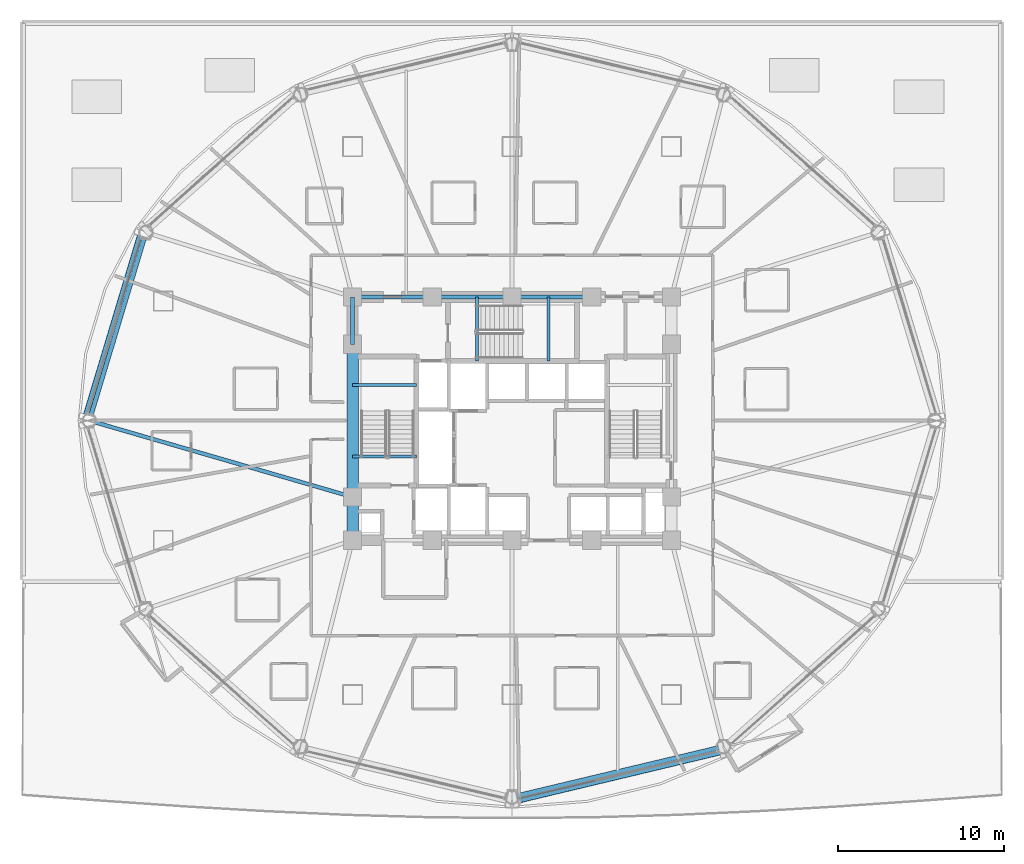
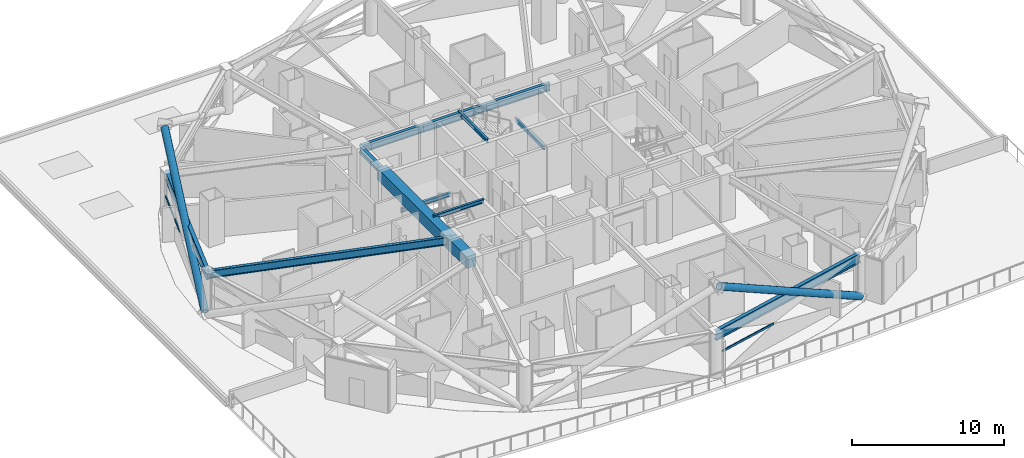
# One storey, part 6 of 27: 13 beams, 4 members, 2 elements without a shape of their own.
"""IFC4 building model written with IfcOpenShell, lengths in metres."""

import ifcopenshell
import ifcopenshell.guid

model = None  # the IFC model being written
_history = None  # IfcOwnerHistory: only IFC2X3 demands one
_inside = {}  # id of a spatial element -> (the spatial element, [elements in it])
_under = {}  # id of a project, library or spatial element -> (it, [spatial elements below it])
_declared = {}  # id of a project -> (the project, [libraries it declares])
_typed = {}  # id of a type object -> (the type object, [elements of that type])
_made_of = {}  # id of a material, layer set ... -> (it, [elements and type objects made of it])


def new_model(schema):
    """Start an empty IFC model of exactly this schema.

    Asked for "IFC4X3", IfcOpenShell would pick the latest addendum, in which some entities
    have other attributes; the version numbers below select the first issue.
    IFC2X3 requires an IfcOwnerHistory on every rooted entity: one is made here for all.
    """
    global model, _history
    if schema == "IFC4X3":
        model = ifcopenshell.file(schema_version=(4, 3, 0, 0))
    else:
        model = ifcopenshell.file(schema=schema)
    _inside.clear()
    _under.clear()
    _declared.clear()
    _typed.clear()
    _made_of.clear()
    _history = None
    if model.schema == "IFC2X3":
        org = make("IfcOrganization", Name="unknown")
        user = make(
            "IfcPersonAndOrganization",
            ThePerson=make("IfcPerson", FamilyName="unknown"),
            TheOrganization=org,
        )
        app = make(
            "IfcApplication",
            ApplicationDeveloper=org,
            Version="unknown",
            ApplicationFullName="unknown",
            ApplicationIdentifier="unknown",
        )
        _history = make(
            "IfcOwnerHistory",
            OwningUser=user,
            OwningApplication=app,
            ChangeAction="ADDED",
            CreationDate=0,
        )
    return model


def make(cls, **values):
    """One entity of the class cls with the attributes given. An attribute that is None is left unset."""
    return model.create_entity(
        cls, **{name: value for name, value in values.items() if value is not None}
    )


def rooted(cls, **values):
    """An entity with a GlobalId (a new one), such as an element, a storey or a relation."""
    return make(cls, GlobalId=ifcopenshell.guid.new(), OwnerHistory=_history, **values)


def si_unit(unit_type, name, prefix=None):
    """IfcSIUnit, for example si_unit("LENGTHUNIT", "METRE", prefix="MILLI")."""
    return make("IfcSIUnit", UnitType=unit_type, Prefix=prefix, Name=name)


def assignment(units):
    """IfcUnitAssignment: the units of a project."""
    return None if units is None else make("IfcUnitAssignment", Units=units)


def point(xyz):
    """IfcCartesianPoint."""
    return None if xyz is None else make("IfcCartesianPoint", Coordinates=xyz)


def direction(xyz):
    """IfcDirection."""
    return None if xyz is None else make("IfcDirection", DirectionRatios=xyz)


def frame(location, z_axis=None, x_axis=None):
    """IfcAxis2Placement3D, a coordinate frame: its origin and axes. An axis left out is left unset."""
    return make(
        "IfcAxis2Placement3D",
        Location=point(location),
        Axis=direction(z_axis),
        RefDirection=direction(x_axis),
    )


def frame_2d(location, x_axis=None):
    """IfcAxis2Placement2D, a coordinate frame in the plane: its origin and x axis."""
    return make(
        "IfcAxis2Placement2D", Location=point(location), RefDirection=direction(x_axis)
    )


def origin():
    """The frame at (0, 0, 0) with its axes left unset."""
    return frame((0.0, 0.0, 0.0))


def origin_2d():
    """The frame at (0, 0) in the plane with its x axis left unset."""
    return frame_2d((0.0, 0.0))


def place(relative_to, where):
    """IfcLocalPlacement: puts the frame where relative to a parent placement (None: the world)."""
    return make(
        "IfcLocalPlacement", PlacementRelTo=relative_to, RelativePlacement=where
    )


def context(
    kind, dimensions, precision=None, world=None, true_north=None, identifier=None
):
    """IfcGeometricRepresentationContext, for example the 3D "Model" context."""
    return make(
        "IfcGeometricRepresentationContext",
        ContextIdentifier=identifier,
        ContextType=kind,
        CoordinateSpaceDimension=dimensions,
        Precision=precision,
        WorldCoordinateSystem=world,
        TrueNorth=true_north,
    )


def subcontext(parent, identifier, kind, view, scale=None):
    """IfcGeometricRepresentationSubContext, for example "Body" below "Model"."""
    return make(
        "IfcGeometricRepresentationSubContext",
        ContextIdentifier=identifier,
        ContextType=kind,
        ParentContext=parent,
        TargetScale=scale,
        TargetView=view,
    )


def project(units=None, contexts=None):
    """IfcProject with its units and contexts."""
    return rooted(
        "IfcProject",
        Name="project",
        RepresentationContexts=contexts,
        UnitsInContext=assignment(units),
    )


def spatial(cls, under=None, at=None, **own):
    """A site, building, storey or space (cls), placed at a placement, below another one or the project."""
    s = rooted(cls, ObjectPlacement=at, **own)
    if under is not None:
        _under.setdefault(under.id(), (under, []))[1].append(s)
    return s


def profile(cls, at=None, kind="AREA", **sizes):
    """A parametric profile (cls). Its sizes go by their IFC names, for example OverallWidth=200.0."""
    return make(cls, ProfileType=kind, Position=at, **sizes)


def rectangle(**sizes):
    """IfcRectangleProfileDef."""
    return profile("IfcRectangleProfileDef", **sizes)


def hollow_rectangle(**sizes):
    """IfcRectangleHollowProfileDef."""
    return profile("IfcRectangleHollowProfileDef", **sizes)


def hollow_circle(**sizes):
    """IfcCircleHollowProfileDef."""
    return profile("IfcCircleHollowProfileDef", **sizes)


def i_section(**sizes):
    """IfcIShapeProfileDef."""
    return profile("IfcIShapeProfileDef", **sizes)


def extrude(swept, where, along, depth):
    """IfcExtrudedAreaSolid: the profile swept, set in the frame where, extruded along a direction by depth."""
    return make(
        "IfcExtrudedAreaSolid",
        SweptArea=swept,
        Position=where,
        ExtrudedDirection=direction(along),
        Depth=depth,
    )


def shape(context_of_items, identifier, shape_type, items):
    """IfcShapeRepresentation: the items that make up one representation, for example the "Body"."""
    return make(
        "IfcShapeRepresentation",
        ContextOfItems=context_of_items,
        RepresentationIdentifier=identifier,
        RepresentationType=shape_type,
        Items=items,
    )


def material(Name=None, Category=None):
    """IfcMaterial."""
    return make("IfcMaterial", Name=Name, Category=Category)


def layer(
    of_material, thickness, ventilated=None, Name=None, Category=None, Priority=None
):
    """IfcMaterialLayer: one layer of a wall or slab, of a material (None: an air gap)."""
    return make(
        "IfcMaterialLayer",
        Material=of_material,
        LayerThickness=thickness,
        IsVentilated=ventilated,
        Name=Name,
        Category=Category,
        Priority=Priority,
    )


def layer_set(layers, Name=None):
    """IfcMaterialLayerSet."""
    return make("IfcMaterialLayerSet", MaterialLayers=layers, LayerSetName=Name)


def material_profile(
    of_material, cross_section, Name=None, Category=None, Priority=None
):
    """IfcMaterialProfile: a cross section and its material."""
    return make(
        "IfcMaterialProfile",
        Name=Name,
        Material=of_material,
        Profile=cross_section,
        Priority=Priority,
        Category=Category,
    )


def profile_set(profiles, Name=None, composite=None):
    """IfcMaterialProfileSet."""
    return make(
        "IfcMaterialProfileSet",
        Name=Name,
        MaterialProfiles=profiles,
        CompositeProfile=composite,
    )


def made_of(thing, what):
    """Note that an element or type object is made of a material, layer set ...; save() writes the relation."""
    if what is not None:
        _made_of.setdefault(what.id(), (what, []))[1].append(thing)
    return thing


def type_object(cls, material=None, **own):
    """A type object (cls), such as IfcWallType, which elements share."""
    return made_of(rooted(cls, **own), material)


def element(
    cls,
    number,
    at=None,
    inside=None,
    cuts=None,
    type_object=None,
    material=None,
    context=None,
    identifier="Body",
    shape_type=None,
    held_by="IfcProductDefinitionShape",
    body=None,
    shapes=None,
    **own,
):
    """One element of the class cls, such as IfcWall. Its Tag is "e" and its number.

    at: its placement. inside: the storey or other place that contains it. cuts: it is an
    opening in that element (IfcRelVoidsElement). A single representation is given by context,
    identifier, shape_type and body (its items); several are given by shapes. held_by: the class
    of the entity that holds the representations. save() writes the other relations.
    """
    e = rooted(cls, Tag="e%d" % number, ObjectPlacement=at, **own)
    if body is not None:
        shapes = [shape(context, identifier, shape_type, body)]
    if shapes is not None:
        e.Representation = make(held_by, Representations=shapes)
    if inside is not None:
        _inside.setdefault(inside.id(), (inside, []))[1].append(e)
    if cuts is not None:
        rooted(
            "IfcRelVoidsElement", RelatingBuildingElement=cuts, RelatedOpeningElement=e
        )
    if type_object is not None:
        _typed.setdefault(type_object.id(), (type_object, []))[1].append(e)
    return made_of(e, material)


def aggregate(whole, parts):
    """IfcRelAggregates: a whole, such as a stair, and the parts it consists of."""
    return rooted("IfcRelAggregates", RelatingObject=whole, RelatedObjects=parts)


def save(model, path):
    """Write the relations noted so far, then the file.

    IfcRelAggregates (storeys below a building ...), IfcRelContainedInSpatialStructure (elements
    in a storey), IfcRelDefinesByType, IfcRelAssociatesMaterial and IfcRelDeclares: one each for
    every whole, place, type object, material and project.
    """
    for whole, parts in _under.values():
        aggregate(whole, parts)
    for where, things in _inside.values():
        rooted(
            "IfcRelContainedInSpatialStructure",
            RelatedElements=things,
            RelatingStructure=where,
        )
    for kind, things in _typed.values():
        rooted("IfcRelDefinesByType", RelatedObjects=things, RelatingType=kind)
    for what, things in _made_of.values():
        rooted("IfcRelAssociatesMaterial", RelatedObjects=things, RelatingMaterial=what)
    for by, libraries in _declared.values():
        rooted("IfcRelDeclares", RelatingContext=by, RelatedDefinitions=libraries)
    model.write(path)


model = new_model("IFC4")

# Units and contexts
model_context = context("Model", 3, precision=1e-05, world=origin(), true_north=direction((0.0, 1.0)))
body_context = subcontext(model_context, "Body", "Model", "MODEL_VIEW")
ifc_project = project(units=[si_unit("LENGTHUNIT", "METRE"), si_unit("AREAUNIT", "SQUARE_METRE"), si_unit("VOLUMEUNIT", "CUBIC_METRE"), si_unit("PLANEANGLEUNIT", "RADIAN"), si_unit("MASSUNIT", "GRAM", prefix="KILO")], contexts=[model_context])

# Site, building, storey
site_placement = place(None, origin())
site = spatial("IfcSite", under=ifc_project, at=site_placement, CompositionType="ELEMENT")
building_placement = place(site_placement, origin())
building = spatial("IfcBuilding", under=site, at=building_placement, Name="Vantalir Tower", CompositionType="ELEMENT")
storey_placement = place(building_placement, frame((0.0, 0.0, 27.0)))
storey = spatial("IfcBuildingStorey", under=building, at=storey_placement, Name="L05", CompositionType="ELEMENT", Elevation=27.0)

# Beams
ifc_material_1 = material(Name="Concrete C60/75", Category="concrete")
ifc_material_profile_1 = material_profile(ifc_material_1, rectangle(XDim=0.699951171875, YDim=0.949951171875, at=origin_2d()), Name="Concrete C60/75")
ifc_profile_set_1 = profile_set([ifc_material_profile_1], Name="Concrete C60/75")
beam_type_1 = type_object("IfcBeamType", Name="BM-CB-700x950", PredefinedType="USERDEFINED", material=ifc_profile_set_1)
beam_1_placement = place(storey_placement, frame((21.89990234375, 29.60009765625, 3.094970703125), z_axis=(0.0, -1.0, 0.0), x_axis=(1.0, 0.0, 0.0)))
element("IfcBeam", 1, at=beam_1_placement, inside=storey, type_object=beam_type_1, Name="L05 Core Coupling Girder 13", ObjectType="GIRDER", PredefinedType="USERDEFINED", context=body_context, shape_type="SweptSolid", body=[
    extrude(rectangle(XDim=0.699951171875, YDim=0.949951171875, at=origin_2d()), origin(), (0.0, 0.0, 1.0), 9.2001953125),
])
beam_2_placement = place(storey_placement, frame((21.89990234375, 20.39990234375, 3.094970703125), z_axis=(0.0, -1.0, 0.0), x_axis=(1.0, 0.0, 0.0)))
element("IfcBeam", 2, at=beam_2_placement, inside=storey, type_object=beam_type_1, Name="L05 Core Coupling Girder 14", ObjectType="GIRDER", PredefinedType="USERDEFINED", context=body_context, shape_type="SweptSolid", body=[
    extrude(rectangle(XDim=0.699951171875, YDim=0.949951171875, at=origin_2d()), origin(), (0.0, 0.0, 1.0), 2.599853515625),
])
ifc_material_2 = material(Name="Steel S355", Category="steel")
ifc_material_profile_2 = material_profile(ifc_material_2, i_section(OverallWidth=0.166015625, OverallDepth=0.306884765625, WebThickness=0.006591796875, FlangeThickness=0.01171875, at=origin_2d()), Name="Steel S355")
ifc_profile_set_2 = profile_set([ifc_material_profile_2], Name="Steel S355")
beam_type_2 = type_object("IfcBeamType", Name="BM-JS-305x165", PredefinedType="JOIST", material=ifc_profile_set_2)
for number, where, z_axis, x_axis, name in (
    (3, (21.89990234375, 22.8349609375, 3.595947265625), (1.0, 0.0, 0.0), (0.0, 1.0, 0.0), "L06 Stair ST1 Well Nosing Trimmer Beam"),
    (4, (21.89990234375, 27.14501953125, 1.52197265625), (1.0, 0.0, 0.0), (0.0, 1.0, 0.0), "L05 Stair ST1 Half-Landing Support Beam"),
):
    element("IfcBeam", number, at=place(storey_placement, frame(where, z_axis=z_axis, x_axis=x_axis)), inside=storey, type_object=beam_type_2, Name=name, PredefinedType="JOIST", context=body_context, shape_type="SweptSolid", body=[
        extrude(i_section(OverallWidth=0.166015625, OverallDepth=0.306884765625, WebThickness=0.006591796875, FlangeThickness=0.01171875, at=origin_2d()), origin(), (0.0, 0.0, 1.0), 3.840087890625),
    ])
for number, where, z_axis, x_axis, name in (
    (5, (29.385009765625, 28.60009765625, 3.595947265625), (0.0, 1.0, 0.0), (-1.0, 0.0, 0.0), "L06 Stair ST3 Well Nosing Trimmer Beam"),
    (6, (33.695068359375, 28.60009765625, 1.52197265625), (0.0, 1.0, 0.0), (-1.0, 0.0, 0.0), "L05 Stair ST3 Half-Landing Support Beam"),
):
    element("IfcBeam", number, at=place(storey_placement, frame(where, z_axis=z_axis, x_axis=x_axis)), inside=storey, type_object=beam_type_2, Name=name, PredefinedType="JOIST", context=body_context, shape_type="SweptSolid", body=[
        extrude(i_section(OverallWidth=0.166015625, OverallDepth=0.306884765625, WebThickness=0.006591796875, FlangeThickness=0.01171875, at=origin_2d()), origin(), (0.0, 0.0, 1.0), 3.849853515625),
    ])
ifc_material_profile_3 = material_profile(ifc_material_2, i_section(OverallWidth=0.22998046875, OverallDepth=0.616943359375, WebThickness=0.01318359375, FlangeThickness=0.022216796875, at=origin_2d()), Name="Steel S355")
ifc_profile_set_3 = profile_set([ifc_material_profile_3], Name="Steel S355")
beam_type_3 = type_object("IfcBeamType", Name="BM-RB-610x229", PredefinedType="BEAM", material=ifc_profile_set_3)
for number, where, z_axis, x_axis, name in (
    (7, (36.300048828125, 32.449951171875, 3.261962890625), (-1.0, 0.0, 0.0), (0.0, -1.0, 0.0), "L05 Core Coupling Girder 09"),
    (8, (31.5, 32.449951171875, 3.261962890625), (-1.0, 0.0, 0.0), (0.0, -1.0, 0.0), "L05 Core Coupling Girder 10"),
    (9, (26.699951171875, 32.449951171875, 3.261962890625), (-1.0, 0.0, 0.0), (0.0, -1.0, 0.0), "L05 Core Coupling Girder 11"),
):
    element("IfcBeam", number, at=place(storey_placement, frame(where, z_axis=z_axis, x_axis=x_axis)), inside=storey, type_object=beam_type_3, Name=name, PredefinedType="BEAM", context=body_context, shape_type="SweptSolid", body=[
        extrude(i_section(OverallWidth=0.22998046875, OverallDepth=0.616943359375, WebThickness=0.01318359375, FlangeThickness=0.022216796875, at=origin_2d()), origin(), (0.0, 0.0, 1.0), 4.800048828125),
    ])
beam_3_placement = place(storey_placement, frame((21.89990234375, 32.449951171875, 3.261962890625), z_axis=(0.0, -1.0, 0.0), x_axis=(1.0, 0.0, 0.0)))
element("IfcBeam", 10, at=beam_3_placement, inside=storey, type_object=beam_type_3, Name="L05 Core Coupling Girder 12", PredefinedType="BEAM", context=body_context, shape_type="SweptSolid", body=[
    extrude(i_section(OverallWidth=0.22998046875, OverallDepth=0.616943359375, WebThickness=0.01318359375, FlangeThickness=0.022216796875, at=origin_2d()), origin(), (0.0, 0.0, 1.0), 2.849853515625),
])
beam_4_placement = place(storey_placement, frame((6.050048828125, 25.0, 3.261962890625), z_axis=(0.960370116181, -0.27872789589, 0.0), x_axis=(0.27872789589, 0.960370116181, 0.0)))
element("IfcBeam", 11, at=beam_4_placement, inside=storey, type_object=beam_type_3, Name="L05 Radial Floor Beam 07", PredefinedType="BEAM", context=body_context, shape_type="SweptSolid", body=[
    extrude(i_section(OverallWidth=0.22998046875, OverallDepth=0.616943359375, WebThickness=0.01318359375, FlangeThickness=0.022216796875, at=origin_2d()), origin(), (0.0, 0.0, 1.0), 16.50390625),
])
ifc_material_3 = material(Name="Steel S460", Category="steel")
ifc_material_profile_4 = material_profile(ifc_material_3, i_section(OverallWidth=0.26806640625, OverallDepth=0.77001953125, WebThickness=0.015625, FlangeThickness=0.025390625, at=origin_2d()), Name="Steel S460")
ifc_profile_set_4 = profile_set([ifc_material_profile_4], Name="Steel S460")
beam_type_4 = type_object("IfcBeamType", Name="BM-RG-762x267", PredefinedType="USERDEFINED", material=ifc_profile_set_4)
beam_5_placement = place(storey_placement, frame((9.4599609375, 36.33203125, 3.18505859375), z_axis=(-0.288146508643, -0.957586335302, 0.0), x_axis=(0.957586335302, -0.288146508643, 0.0)))
element("IfcBeam", 12, at=beam_5_placement, inside=storey, type_object=beam_type_4, Name="L05 Circumferential Ring Girder 06", ObjectType="GIRDER", PredefinedType="USERDEFINED", context=body_context, shape_type="SweptSolid", body=[
    extrude(i_section(OverallWidth=0.26806640625, OverallDepth=0.77001953125, WebThickness=0.015625, FlangeThickness=0.025390625, at=origin_2d()), origin(), (0.0, 0.0, 1.0), 11.833984375),
])
beam_6_placement = place(storey_placement, frame((31.5, 2.3359375, 3.18505859375), z_axis=(0.972696777879, 0.232079680935, 0.0), x_axis=(-0.232079680935, 0.972696777879, 0.0)))
element("IfcBeam", 13, at=beam_6_placement, inside=storey, type_object=beam_type_4, Name="L05 Circumferential Ring Girder 10", ObjectType="GIRDER", PredefinedType="USERDEFINED", context=body_context, shape_type="SweptSolid", body=[
    extrude(i_section(OverallWidth=0.26806640625, OverallDepth=0.77001953125, WebThickness=0.015625, FlangeThickness=0.025390625, at=origin_2d()), origin(), (0.0, 0.0, 1.0), 13.082275390625),
])

# Curtain wall, member
ifc_material_4 = material(Name="Champagne-silver PVDF aluminium and double-silver Low-E glass", Category="aluminium")
ifc_layer = layer(ifc_material_4, 0.18994140625)
ifc_layer_set = layer_set([ifc_layer], Name="Champagne-silver PVDF aluminium and double-silver Low-E glass")
curtain_wall_type = type_object("IfcCurtainWallType", Name="CW-DIAMOND-Z1", PredefinedType="USERDEFINED", material=ifc_layer_set)
curtain_wall_1_placement = place(storey_placement, origin())
curtain_wall_1 = element("IfcCurtainWall", 14, at=curtain_wall_1_placement, inside=storey, type_object=curtain_wall_type, Name="L05 Quilted Pyramid-Diamond Curtain Wall S06", ObjectType="UNITISED CURTAIN WALL", PredefinedType="USERDEFINED")
ifc_material_5 = material(Name="Champagne-silver PVDF aluminium 6063-T6", Category="aluminium")
ifc_material_profile_5 = material_profile(ifc_material_5, hollow_rectangle(XDim=0.074951171875, YDim=0.159912109375, WallThickness=0.00390625, at=origin_2d()), Name="Champagne-silver PVDF aluminium 6063-T6")
ifc_profile_set_5 = profile_set([ifc_material_profile_5], Name="Champagne-silver PVDF aluminium 6063-T6")
member_type_1 = type_object("IfcMemberType", Name="CWT-160x75", PredefinedType="USERDEFINED", material=ifc_profile_set_5)
member_1_placement = place(storey_placement, frame((9.159912109375, 35.97705078125, 1.784912109375), z_axis=(-0.293465610057, -0.955969631167, 0.0), x_axis=(0.955969631167, -0.293465610057, 0.0)))
member_1 = element("IfcMember", 15, at=member_1_placement, type_object=member_type_1, Name="CW-L05-S06 Pyramid Fold Ridge Transom", ObjectType="TRANSOM", PredefinedType="USERDEFINED", context=body_context, shape_type="SweptSolid", body=[
    extrude(hollow_rectangle(XDim=0.074951171875, YDim=0.159912109375, WallThickness=0.00390625, at=origin_2d()), origin(), (0.0, 0.0, 1.0), 4.177001953125),
])
aggregate(curtain_wall_1, [member_1])

curtain_wall_2_placement = place(storey_placement, origin())
curtain_wall_2 = element("IfcCurtainWall", 16, at=curtain_wall_2_placement, inside=storey, type_object=curtain_wall_type, Name="L05 Quilted Pyramid-Diamond Curtain Wall S10", ObjectType="UNITISED CURTAIN WALL", PredefinedType="USERDEFINED")
member_2_placement = place(storey_placement, frame((31.95703125, 2.2548828125, 1.784912109375), z_axis=(0.973835402479, 0.227254502438, 0.0), x_axis=(-0.227254502438, 0.973835402479, 0.0)))
member_2 = element("IfcMember", 17, at=member_2_placement, type_object=member_type_1, Name="CW-L05-S10 Pyramid Fold Ridge Transom", ObjectType="TRANSOM", PredefinedType="USERDEFINED", context=body_context, shape_type="SweptSolid", body=[
    extrude(hollow_rectangle(XDim=0.074951171875, YDim=0.159912109375, WallThickness=0.00390625, at=origin_2d()), origin(), (0.0, 0.0, 1.0), 4.65185546875),
])
aggregate(curtain_wall_2, [member_2])

# Members
ifc_material_profile_6 = material_profile(ifc_material_3, hollow_circle(Radius=0.27001953125, WallThickness=0.044921875, at=origin_2d()), Name="Steel S460")
ifc_profile_set_6 = profile_set([ifc_material_profile_6], Name="Steel S460")
member_type_2 = type_object("IfcMemberType", Name="MEM-DB-540x45", PredefinedType="BRACE", material=ifc_profile_set_6)
member_3_placement = place(storey_placement, frame((5.9140625, 25.180908203125, 0.193115234375), z_axis=(0.246888376659, 0.821143457496, 0.514557627173), x_axis=(-0.957651062423, 0.287931315836, 0.0)))
element("IfcMember", 18, at=member_3_placement, inside=storey, type_object=member_type_2, Name="L05 Perimeter S460 Diagrid Brace R19R", PredefinedType="BRACE", context=body_context, shape_type="SweptSolid", body=[
    extrude(hollow_circle(Radius=0.27001953125, WallThickness=0.044921875, at=origin_2d()), origin(), (0.0, 0.0, 1.0), 13.475341796875),
])
member_4_placement = place(storey_placement, frame((44.132080078125, 5.1630859375, 0.18505859375), z_axis=(-0.854681826413, -0.204133655505, 0.477334710963), x_axis=(0.232307554099, -0.972642380481, 0.0)))
element("IfcMember", 19, at=member_4_placement, inside=storey, type_object=member_type_2, Name="L05 Perimeter S460 Diagrid Brace R31R", PredefinedType="BRACE", context=body_context, shape_type="SweptSolid", body=[
    extrude(hollow_circle(Radius=0.27001953125, WallThickness=0.044921875, at=origin_2d()), origin(), (0.0, 0.0, 1.0), 14.559814453125),
])

save(model, "model.ifc")
